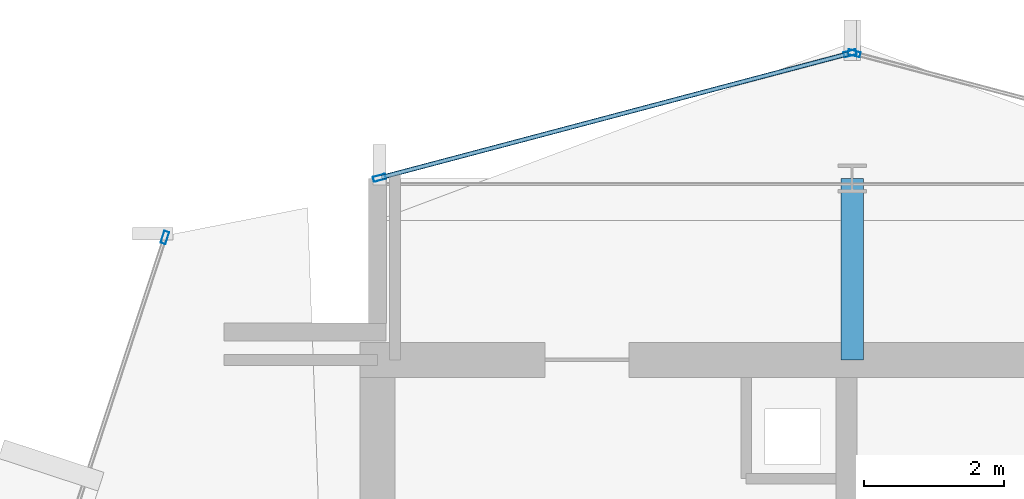
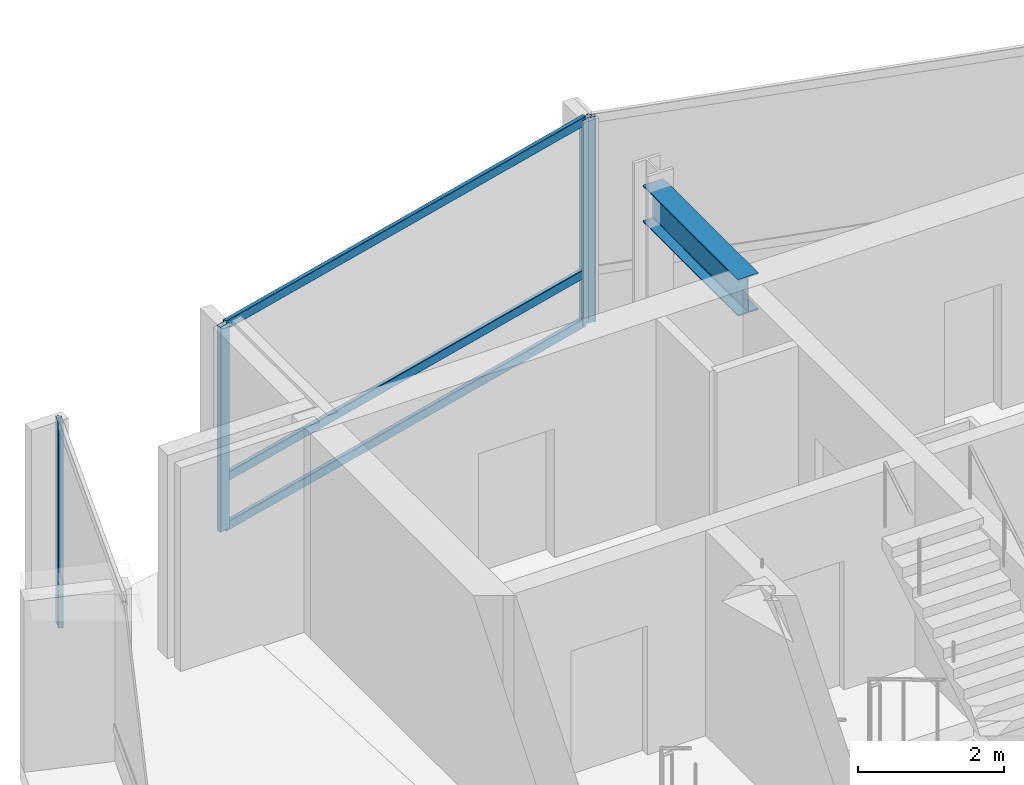
# One storey, part 16 of 27: 7 members, 1 beam, 3 elements without a shape of their own.
"""IFC4 building model written with IfcOpenShell, lengths in metres."""

from ifc_helpers import new_model, si_unit, direction, frame, origin, origin_2d, place, context, subcontext, project, spatial, hollow_rectangle, i_section, extrude, material, layer, layer_set, material_profile, profile_set, type_object, element, aggregate, save


model = new_model("IFC4")

# Units and contexts
model_context = context("Model", 3, precision=1e-05, world=origin(), true_north=direction((0.0, 1.0)))
body_context = subcontext(model_context, "Body", "Model", "MODEL_VIEW")
ifc_project = project(units=[si_unit("LENGTHUNIT", "METRE"), si_unit("AREAUNIT", "SQUARE_METRE"), si_unit("VOLUMEUNIT", "CUBIC_METRE"), si_unit("PLANEANGLEUNIT", "RADIAN"), si_unit("MASSUNIT", "GRAM", prefix="KILO")], contexts=[model_context])

# Site, building, storey
site_placement = place(None, origin())
site = spatial("IfcSite", under=ifc_project, at=site_placement, CompositionType="ELEMENT")
building_placement = place(site_placement, origin())
building = spatial("IfcBuilding", under=site, at=building_placement, Name="Solvaryn Broadcast Tower", CompositionType="ELEMENT")
storey_placement = place(building_placement, frame((0.0, 0.0, 189.0)))
storey = spatial("IfcBuildingStorey", under=building, at=storey_placement, Name="L47", CompositionType="ELEMENT", Elevation=189.0)

# Beam
ifc_material_1 = material(Name="Steel ASTM A992 Grade 50", Category="steel")
ifc_material_profile_1 = material_profile(ifc_material_1, i_section(OverallWidth=0.323974609375, OverallDepth=0.611083984375, WebThickness=0.0126953125, FlangeThickness=0.01904296875, FilletRadius=0.014892578125, at=origin_2d()))
ifc_profile_set_1 = profile_set([ifc_material_profile_1], Name="Steel ASTM A992 Grade 50")
beam_type = type_object("IfcBeamType", Name="BM-B1-W24X104", PredefinedType="BEAM", material=ifc_profile_set_1)
beam_placement = place(storey_placement, frame((18.0, 42.39990234375, 3.114501953125), z_axis=(0.0, 1.0, 0.0), x_axis=(-1.0, 0.0, 0.0)))
element("IfcBeam", 1, at=beam_placement, inside=storey, type_object=beam_type, Name="L47 Core Tie Beam CTW3", PredefinedType="BEAM", context=body_context, shape_type="SweptSolid", body=[
    extrude(i_section(OverallWidth=0.323974609375, OverallDepth=0.611083984375, WebThickness=0.0126953125, FlangeThickness=0.01904296875, FilletRadius=0.014892578125, at=origin_2d()), origin(), (0.0, 0.0, 1.0), 2.60009765625),
])

# Curtain wall, member
ifc_material_2 = material(Name="Aluminium and Terracotta Unitised Curtain Wall", Category="masonry")
ifc_layer = layer(ifc_material_2, 0.199951171875)
ifc_layer_set = layer_set([ifc_layer], Name="CW-SYS2-LOWMID")
curtain_wall_type = type_object("IfcCurtainWallType", Name="CW-SYS2-LOWMID", PredefinedType="NOTDEFINED", material=ifc_layer_set)
curtain_wall_1_placement = place(storey_placement, origin())
curtain_wall_1 = element("IfcCurtainWall", 2, at=curtain_wall_1_placement, inside=storey, type_object=curtain_wall_type, Name="L47 Curtain Wall DR1", PredefinedType="NOTDEFINED")
ifc_material_3 = material(Name="Anodised Aluminium 6063-T6", Category="aluminium")
ifc_material_profile_2 = material_profile(ifc_material_3, hollow_rectangle(XDim=0.074951171875, YDim=0.179931640625, WallThickness=0.00390625, InnerFilletRadius=0.00390625, OuterFilletRadius=0.008056640625, at=origin_2d()))
ifc_profile_set_2 = profile_set([ifc_material_profile_2], Name="Anodised Aluminium 6063-T6")
member_type_1 = type_object("IfcMemberType", Name="CW-MUL-180", PredefinedType="MULLION", material=ifc_profile_set_2)
member_1_placement = place(storey_placement, frame((8.153564453125, 44.153564453125, 0.0), z_axis=(0.0, 0.0, 1.0), x_axis=(0.950226902099, -0.311558717623, 0.0)))
member_1 = element("IfcMember", 3, at=member_1_placement, type_object=member_type_1, Name="CWS2 mullion 1", PredefinedType="MULLION", context=body_context, shape_type="SweptSolid", body=[
    extrude(hollow_rectangle(XDim=0.074951171875, YDim=0.179931640625, WallThickness=0.00390625, InnerFilletRadius=0.00390625, OuterFilletRadius=0.008056640625, at=origin_2d()), origin(), (0.0, 0.0, 1.0), 3.419921875),
])
aggregate(curtain_wall_1, [member_1])

curtain_wall_2_placement = place(storey_placement, origin())
curtain_wall_2 = element("IfcCurtainWall", 4, at=curtain_wall_2_placement, inside=storey, type_object=curtain_wall_type, Name="L47 Curtain Wall NT1", PredefinedType="NOTDEFINED")
member_2_placement = place(storey_placement, frame((18.029052734375, 46.792236328125, 0.0), z_axis=(0.0, 0.0, 1.0), x_axis=(-0.25589256031, -0.966705227863, 0.0)))
member_2 = element("IfcMember", 5, at=member_2_placement, type_object=member_type_1, Name="CWS2 mullion 2", PredefinedType="MULLION", context=body_context, shape_type="SweptSolid", body=[
    extrude(hollow_rectangle(XDim=0.074951171875, YDim=0.179931640625, WallThickness=0.00390625, InnerFilletRadius=0.00390625, OuterFilletRadius=0.008056640625, at=origin_2d()), origin(), (0.0, 0.0, 1.0), 3.419921875),
])
aggregate(curtain_wall_2, [member_2])

# Curtain wall, members
curtain_wall_3_placement = place(storey_placement, origin())
curtain_wall_3 = element("IfcCurtainWall", 6, at=curtain_wall_3_placement, inside=storey, type_object=curtain_wall_type, Name="L47 Curtain Wall NT2", PredefinedType="NOTDEFINED")
member_3_placement = place(storey_placement, frame((17.970947265625, 46.792236328125, 0.0), z_axis=(0.0, 0.0, 1.0), x_axis=(0.25589256031, -0.966705227863, 0.0)))
member_3 = element("IfcMember", 7, at=member_3_placement, type_object=member_type_1, Name="CWS2 mullion 1", PredefinedType="MULLION", context=body_context, shape_type="SweptSolid", body=[
    extrude(hollow_rectangle(XDim=0.074951171875, YDim=0.179931640625, WallThickness=0.00390625, InnerFilletRadius=0.00390625, OuterFilletRadius=0.008056640625, at=origin_2d()), origin(), (0.0, 0.0, 1.0), 3.419921875),
])
member_4_placement = place(storey_placement, frame((11.22900390625, 45.007568359375, 0.0), z_axis=(0.0, 0.0, 1.0), x_axis=(0.25589256031, -0.966705227863, 0.0)))
member_4 = element("IfcMember", 8, at=member_4_placement, type_object=member_type_1, Name="CWS2 mullion 2", PredefinedType="MULLION", context=body_context, shape_type="SweptSolid", body=[
    extrude(hollow_rectangle(XDim=0.074951171875, YDim=0.179931640625, WallThickness=0.00390625, InnerFilletRadius=0.00390625, OuterFilletRadius=0.008056640625, at=origin_2d()), origin(), (0.0, 0.0, 1.0), 3.419921875),
])
ifc_material_4 = material(Name="Anodised Aluminium 6063-T6", Category="aluminium")
ifc_material_profile_3 = material_profile(ifc_material_4, hollow_rectangle(XDim=0.06494140625, YDim=0.14990234375, WallThickness=0.00390625, InnerFilletRadius=0.00390625, OuterFilletRadius=0.008056640625, at=origin_2d()))
ifc_profile_set_3 = profile_set([ifc_material_profile_3], Name="Anodised Aluminium 6063-T6")
member_type_2 = type_object("IfcMemberType", Name="CW-TRN-150", PredefinedType="USERDEFINED", material=ifc_profile_set_3)
member_5_placement = place(storey_placement, frame((17.94189453125, 46.78466796875, 0.030029296875), z_axis=(-0.966703943301, -0.255897413051, 0.0), x_axis=(0.255897413051, -0.966703943301, 0.0)))
member_5 = element("IfcMember", 9, at=member_5_placement, type_object=member_type_2, Name="CWS2 transom 1.1", ObjectType="TRANSOM", PredefinedType="USERDEFINED", context=body_context, shape_type="SweptSolid", body=[
    extrude(hollow_rectangle(XDim=0.06494140625, YDim=0.14990234375, WallThickness=0.00390625, InnerFilletRadius=0.00390625, OuterFilletRadius=0.008056640625, at=origin_2d()), origin(), (0.0, 0.0, 1.0), 6.9140625),
])
member_6_placement = place(storey_placement, frame((17.94189453125, 46.78466796875, 0.85009765625), z_axis=(-0.966703943301, -0.255897413051, 0.0), x_axis=(0.255897413051, -0.966703943301, 0.0)))
member_6 = element("IfcMember", 10, at=member_6_placement, type_object=member_type_2, Name="CWS2 transom 1.2", ObjectType="TRANSOM", PredefinedType="USERDEFINED", context=body_context, shape_type="SweptSolid", body=[
    extrude(hollow_rectangle(XDim=0.06494140625, YDim=0.14990234375, WallThickness=0.00390625, InnerFilletRadius=0.00390625, OuterFilletRadius=0.008056640625, at=origin_2d()), origin(), (0.0, 0.0, 1.0), 6.9140625),
])
member_7_placement = place(storey_placement, frame((17.94189453125, 46.78466796875, 3.389892578125), z_axis=(-0.966703943301, -0.255897413051, 0.0), x_axis=(0.255897413051, -0.966703943301, 0.0)))
member_7 = element("IfcMember", 11, at=member_7_placement, type_object=member_type_2, Name="CWS2 transom 1.3", ObjectType="TRANSOM", PredefinedType="USERDEFINED", context=body_context, shape_type="SweptSolid", body=[
    extrude(hollow_rectangle(XDim=0.06494140625, YDim=0.14990234375, WallThickness=0.00390625, InnerFilletRadius=0.00390625, OuterFilletRadius=0.008056640625, at=origin_2d()), origin(), (0.0, 0.0, 1.0), 6.9140625),
])
aggregate(curtain_wall_3, [member_3, member_4, member_5, member_6, member_7])

save(model, "model.ifc")
